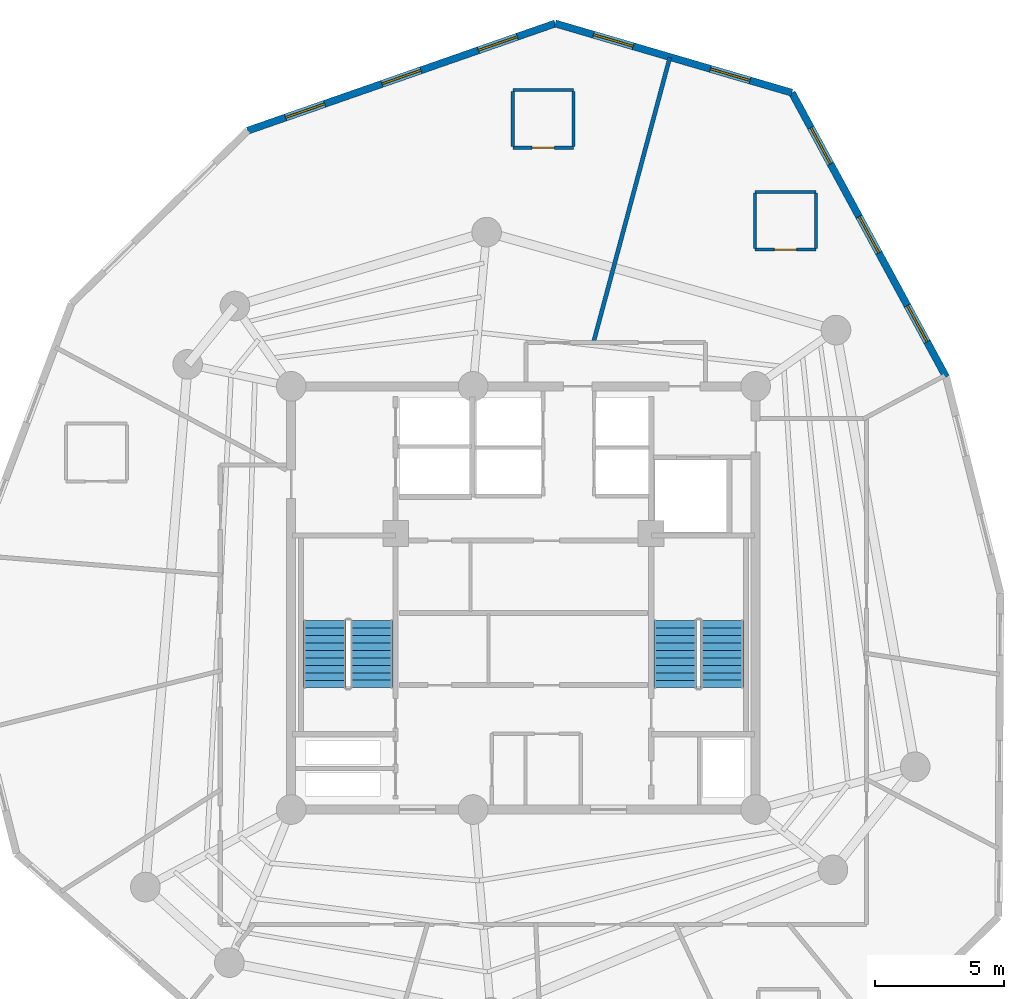
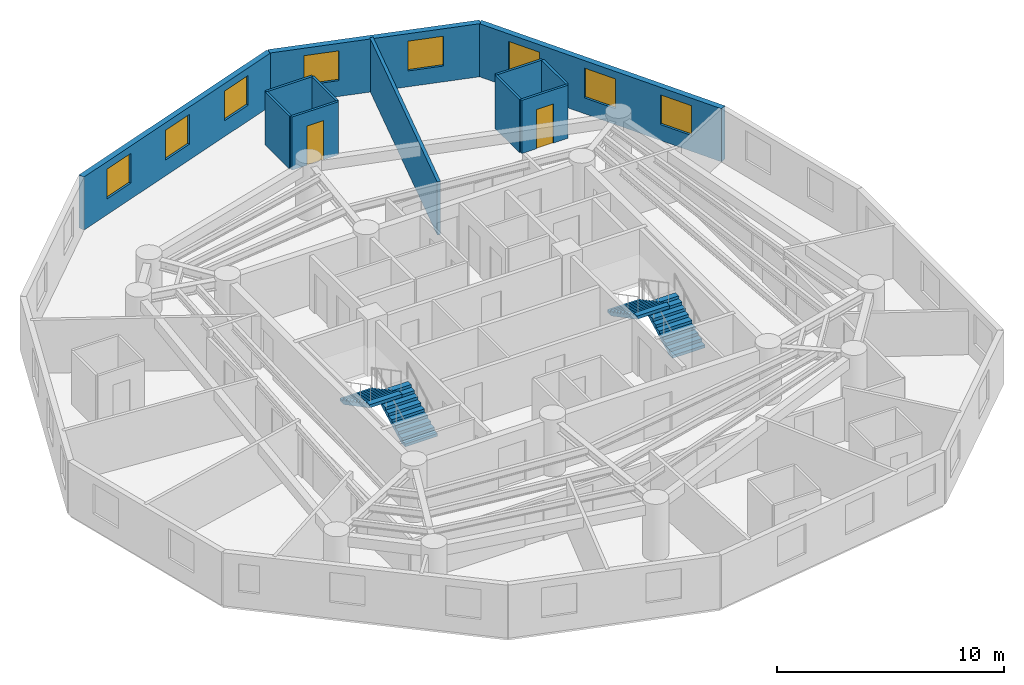
# One storey, part 6 of 7: 12 walls, 8 windows, 4 stair flights, 2 doors, 10 openings, 2 elements without a shape of their own.
"""IFC4 building model written with IfcOpenShell, lengths in metres."""

from ifc_helpers import new_model, si_unit, direction, frame, frame_2d, origin, origin_with_axes, place, context, subcontext, project, spatial, polyline, rectangle, outline, extrude, source, transform, mapped, material, layer, layer_set, type_object, element, fill, aggregate, save


model = new_model("IFC4")

# Units and contexts
model_context = context("Model", 3, precision=1e-05, world=origin(), true_north=direction((0.0, 1.0)))
body_context = subcontext(model_context, "Body", "Model", "MODEL_VIEW")
ifc_project = project(units=[si_unit("LENGTHUNIT", "METRE"), si_unit("AREAUNIT", "SQUARE_METRE"), si_unit("VOLUMEUNIT", "CUBIC_METRE"), si_unit("PLANEANGLEUNIT", "RADIAN"), si_unit("MASSUNIT", "GRAM", prefix="KILO")], contexts=[model_context])

# Site, building, storey
site_placement = place(None, origin())
site = spatial("IfcSite", under=ifc_project, at=site_placement, CompositionType="ELEMENT")
building_placement = place(site_placement, origin())
building = spatial("IfcBuilding", under=site, at=building_placement, Name="Karkom Vertical University and Central Library", CompositionType="ELEMENT")
storey_placement = place(building_placement, frame((0.0, 0.0, 223.0)))
storey = spatial("IfcBuildingStorey", under=building, at=storey_placement, Name="L65", CompositionType="ELEMENT", Elevation=223.0)

# Wall, openings, windows
ifc_material_1 = material(Name="Brick-faced precast concrete C45/55", Category="masonry")
ifc_layer_1 = layer(ifc_material_1, 0.280029296875)
ifc_layer_set_1 = layer_set([ifc_layer_1], Name="Brick-faced precast concrete C45/55")
wall_type_1 = type_object("IfcWallType", Name="ENV-WL-BRK-280", PredefinedType="SOLIDWALL", material=ifc_layer_set_1)
wall_1_placement = place(storey_placement, frame((44.8857421875, 35.05810546875, 0.0), z_axis=(0.0, 0.0, 1.0), x_axis=(-0.476910136599, 0.878952058766, 0.0)))
wall_1 = element("IfcWall", 1, at=wall_1_placement, inside=storey, type_object=wall_type_1, Name="Level 65 Brick-Faced Precast Facade Wall 08", PredefinedType="SOLIDWALL", context=body_context, shape_type="SweptSolid", body=[
    extrude(rectangle(XDim=12.54150390625, YDim=0.280029296875, at=frame_2d((6.270751953125, 0.0))), origin(), (0.0, 0.0, 1.0), 2.85009765625),
])
opening_1_placement = place(wall_1_placement, frame((1.5576171875, 0.0, 0.85009765625)))
opening_1 = element("IfcOpeningElement", 2, at=opening_1_placement, cuts=wall_1, Name="Opening WN-10", PredefinedType="OPENING", context=body_context, shape_type="SweptSolid", body=[
    extrude(rectangle(XDim=1.60009765625, YDim=1.60009765625, at=frame_2d((0.800048828125, 0.800048828125))), frame((0.0, 0.14990234375, 0.0), z_axis=(0.0, -1.0, 0.0), x_axis=(1.0, 0.0, 0.0)), (0.0, 0.0, 1.0), 0.300048828125),
])
opening_2_placement = place(wall_1_placement, frame((5.479248046875, 0.0, 0.85009765625)))
opening_2 = element("IfcOpeningElement", 3, at=opening_2_placement, cuts=wall_1, Name="Opening WN-10", PredefinedType="OPENING", context=body_context, shape_type="SweptSolid", body=[
    extrude(rectangle(XDim=1.60009765625, YDim=1.60009765625, at=frame_2d((0.800048828125, 0.800048828125))), frame((0.0, 0.14990234375, 0.0), z_axis=(0.0, -1.0, 0.0), x_axis=(1.0, 0.0, 0.0)), (0.0, 0.0, 1.0), 0.300048828125),
])
opening_3_placement = place(wall_1_placement, frame((9.40087890625, 0.0, 0.85009765625)))
opening_3 = element("IfcOpeningElement", 4, at=opening_3_placement, cuts=wall_1, Name="Opening WN-10", PredefinedType="OPENING", context=body_context, shape_type="SweptSolid", body=[
    extrude(rectangle(XDim=1.60009765625, YDim=1.60009765625, at=frame_2d((0.800048828125, 0.800048828125))), frame((0.0, 0.14990234375, 0.0), z_axis=(0.0, -1.0, 0.0), x_axis=(1.0, 0.0, 0.0)), (0.0, 0.0, 1.0), 0.300048828125),
])
ifc_material_2 = material(Name="Aluminium thermal-break frame with solar-control IGU", Category="aluminium")
window_type = type_object("IfcWindowType", Name="ENV-WIN-WN-10", PartitioningType="SINGLE_PANEL", PredefinedType="WINDOW", material=ifc_material_2)
shared_shape_1 = source(origin_with_axes(), body_context, "Body", "SweptSolid", [
    extrude(rectangle(XDim=1.60009765625, YDim=1.60009765625, at=frame_2d((0.800048828125, 0.800048828125))), frame((0.0, 0.030029296875, 0.0), z_axis=(0.0, -1.0, 0.0), x_axis=(1.0, 0.0, 0.0)), (0.0, 0.0, 1.0), 0.06005859375),
])
window_1_placement = place(opening_1_placement, origin())
window_1 = element("IfcWindow", 5, at=window_1_placement, inside=storey, type_object=window_type, Name="Level 65 Punched Window 8.1", OverallHeight=1.60009765625, OverallWidth=1.60009765625, PartitioningType="SINGLE_PANEL", PredefinedType="WINDOW", context=body_context, shape_type="MappedRepresentation", body=[
    mapped(shared_shape_1, transform((0.0, 0.0, 0.0), scale=1.0)),
])
fill(opening_1, window_1)
window_2_placement = place(opening_2_placement, origin())
window_2 = element("IfcWindow", 6, at=window_2_placement, inside=storey, type_object=window_type, Name="Level 65 Punched Window 8.2", OverallHeight=1.60009765625, OverallWidth=1.60009765625, PartitioningType="SINGLE_PANEL", PredefinedType="WINDOW", context=body_context, shape_type="MappedRepresentation", body=[
    mapped(shared_shape_1, transform((0.0, 0.0, 0.0), scale=1.0)),
])
fill(opening_2, window_2)
window_3_placement = place(opening_3_placement, origin())
window_3 = element("IfcWindow", 7, at=window_3_placement, inside=storey, type_object=window_type, Name="Level 65 Punched Window 8.3", OverallHeight=1.60009765625, OverallWidth=1.60009765625, PartitioningType="SINGLE_PANEL", PredefinedType="WINDOW", context=body_context, shape_type="MappedRepresentation", body=[
    mapped(shared_shape_1, transform((0.0, 0.0, 0.0), scale=1.0)),
])
fill(opening_3, window_3)

wall_2_placement = place(storey_placement, frame((38.904541015625, 46.08154296875, 0.0), z_axis=(0.0, 0.0, 1.0), x_axis=(-0.959798871219, 0.280688665262, 0.0)))
wall_2 = element("IfcWall", 8, at=wall_2_placement, inside=storey, type_object=wall_type_1, Name="Level 65 Brick-Faced Precast Facade Wall 09", PredefinedType="SOLIDWALL", context=body_context, shape_type="SweptSolid", body=[
    extrude(rectangle(XDim=9.555419921875, YDim=0.280029296875, at=frame_2d((4.77783203125, 0.0))), origin(), (0.0, 0.0, 1.0), 2.85009765625),
])
opening_4_placement = place(wall_2_placement, frame((1.69091796875, 0.0, 0.85009765625)))
opening_4 = element("IfcOpeningElement", 9, at=opening_4_placement, cuts=wall_2, Name="Opening WN-10", PredefinedType="OPENING", context=body_context, shape_type="SweptSolid", body=[
    extrude(rectangle(XDim=1.60009765625, YDim=1.60009765625, at=frame_2d((0.800048828125, 0.800048828125))), frame((0.0, 0.14990234375, 0.0), z_axis=(0.0, -1.0, 0.0), x_axis=(1.0, 0.0, 0.0)), (0.0, 0.0, 1.0), 0.300048828125),
])
opening_5_placement = place(wall_2_placement, frame((6.40869140625, 0.0, 0.85009765625)))
opening_5 = element("IfcOpeningElement", 10, at=opening_5_placement, cuts=wall_2, Name="Opening WN-10", PredefinedType="OPENING", context=body_context, shape_type="SweptSolid", body=[
    extrude(rectangle(XDim=1.60009765625, YDim=1.60009765625, at=frame_2d((0.800048828125, 0.800048828125))), frame((0.0, 0.14990234375, 0.0), z_axis=(0.0, -1.0, 0.0), x_axis=(1.0, 0.0, 0.0)), (0.0, 0.0, 1.0), 0.300048828125),
])
window_4_placement = place(opening_4_placement, origin())
window_4 = element("IfcWindow", 11, at=window_4_placement, inside=storey, type_object=window_type, Name="Level 65 Punched Window 9.1", OverallHeight=1.60009765625, OverallWidth=1.60009765625, PartitioningType="SINGLE_PANEL", PredefinedType="WINDOW", context=body_context, shape_type="MappedRepresentation", body=[
    mapped(shared_shape_1, transform((0.0, 0.0, 0.0), scale=1.0)),
])
fill(opening_4, window_4)
window_5_placement = place(opening_5_placement, origin())
window_5 = element("IfcWindow", 12, at=window_5_placement, inside=storey, type_object=window_type, Name="Level 65 Punched Window 9.2", OverallHeight=1.60009765625, OverallWidth=1.60009765625, PartitioningType="SINGLE_PANEL", PredefinedType="WINDOW", context=body_context, shape_type="MappedRepresentation", body=[
    mapped(shared_shape_1, transform((0.0, 0.0, 0.0), scale=1.0)),
])
fill(opening_5, window_5)

wall_3_placement = place(storey_placement, frame((29.733154296875, 48.763671875, 0.0), z_axis=(0.0, 0.0, 1.0), x_axis=(-0.944273189072, -0.329162793159, 0.0)))
wall_3 = element("IfcWall", 13, at=wall_3_placement, inside=storey, type_object=wall_type_1, Name="Level 65 Brick-Faced Precast Facade Wall 10", PredefinedType="SOLIDWALL", context=body_context, shape_type="SweptSolid", body=[
    extrude(rectangle(XDim=12.620849609375, YDim=0.280029296875, at=frame_2d((6.310546875, 0.0))), origin(), (0.0, 0.0, 1.0), 2.85009765625),
])
opening_6_placement = place(wall_3_placement, frame((1.556884765625, 0.0, 0.85009765625)))
opening_6 = element("IfcOpeningElement", 14, at=opening_6_placement, cuts=wall_3, Name="Opening WN-10", PredefinedType="OPENING", context=body_context, shape_type="SweptSolid", body=[
    extrude(rectangle(XDim=1.60009765625, YDim=1.60009765625, at=frame_2d((0.800048828125, 0.800048828125))), frame((0.0, 0.14990234375, 0.0), z_axis=(0.0, -1.0, 0.0), x_axis=(1.0, 0.0, 0.0)), (0.0, 0.0, 1.0), 0.300048828125),
])
opening_7_placement = place(wall_3_placement, frame((5.510498046875, 0.0, 0.85009765625)))
opening_7 = element("IfcOpeningElement", 15, at=opening_7_placement, cuts=wall_3, Name="Opening WN-10", PredefinedType="OPENING", context=body_context, shape_type="SweptSolid", body=[
    extrude(rectangle(XDim=1.60009765625, YDim=1.60009765625, at=frame_2d((0.800048828125, 0.800048828125))), frame((0.0, 0.14990234375, 0.0), z_axis=(0.0, -1.0, 0.0), x_axis=(1.0, 0.0, 0.0)), (0.0, 0.0, 1.0), 0.300048828125),
])
opening_8_placement = place(wall_3_placement, frame((9.464111328125, 0.0, 0.85009765625)))
opening_8 = element("IfcOpeningElement", 16, at=opening_8_placement, cuts=wall_3, Name="Opening WN-10", PredefinedType="OPENING", context=body_context, shape_type="SweptSolid", body=[
    extrude(rectangle(XDim=1.60009765625, YDim=1.60009765625, at=frame_2d((0.800048828125, 0.800048828125))), frame((0.0, 0.14990234375, 0.0), z_axis=(0.0, -1.0, 0.0), x_axis=(1.0, 0.0, 0.0)), (0.0, 0.0, 1.0), 0.300048828125),
])
window_6_placement = place(opening_6_placement, origin())
window_6 = element("IfcWindow", 17, at=window_6_placement, inside=storey, type_object=window_type, Name="Level 65 Punched Window 10.1", OverallHeight=1.60009765625, OverallWidth=1.60009765625, PartitioningType="SINGLE_PANEL", PredefinedType="WINDOW", context=body_context, shape_type="MappedRepresentation", body=[
    mapped(shared_shape_1, transform((0.0, 0.0, 0.0), scale=1.0)),
])
fill(opening_6, window_6)
window_7_placement = place(opening_7_placement, origin())
window_7 = element("IfcWindow", 18, at=window_7_placement, inside=storey, type_object=window_type, Name="Level 65 Punched Window 10.2", OverallHeight=1.60009765625, OverallWidth=1.60009765625, PartitioningType="SINGLE_PANEL", PredefinedType="WINDOW", context=body_context, shape_type="MappedRepresentation", body=[
    mapped(shared_shape_1, transform((0.0, 0.0, 0.0), scale=1.0)),
])
fill(opening_7, window_7)
window_8_placement = place(opening_8_placement, origin())
window_8 = element("IfcWindow", 19, at=window_8_placement, inside=storey, type_object=window_type, Name="Level 65 Punched Window 10.3", OverallHeight=1.60009765625, OverallWidth=1.60009765625, PartitioningType="SINGLE_PANEL", PredefinedType="WINDOW", context=body_context, shape_type="MappedRepresentation", body=[
    mapped(shared_shape_1, transform((0.0, 0.0, 0.0), scale=1.0)),
])
fill(opening_8, window_8)

# Wall
ifc_material_3 = material(Name="Insulated metal-stud drywall 160mm", Category="gypsum")
ifc_layer_2 = layer(ifc_material_3, 0.159912109375)
ifc_layer_set_2 = layer_set([ifc_layer_2], Name="Insulated metal-stud drywall 160mm")
wall_type_2 = type_object("IfcWallType", Name="INT-WL-COR-160", PredefinedType="PARTITIONING", material=ifc_layer_set_2)
wall_4_placement = place(storey_placement, frame((31.20703125, 36.37109375, 0.0), z_axis=(0.0, 0.0, 1.0), x_axis=(0.25882944903, 0.965923038505, 0.0)))
element("IfcWall", 20, at=wall_4_placement, inside=storey, type_object=wall_type_2, Name="Level 65 Interior Partition Wall L65-PW-013", PredefinedType="PARTITIONING", context=body_context, shape_type="SweptSolid", body=[
    extrude(rectangle(XDim=11.45849609375, YDim=0.159912109375, at=frame_2d((5.729248046875, 0.0))), origin(), (0.0, 0.0, 1.0), 2.85009765625),
])

# Wall, opening, door
ifc_material_4 = material(Name="Moisture-resistant drywall 120mm", Category="gypsum")
ifc_layer_3 = layer(ifc_material_4, 0.1201171875)
ifc_layer_set_3 = layer_set([ifc_layer_3], Name="Moisture-resistant drywall 120mm")
wall_type_3 = type_object("IfcWallType", Name="INT-WL-INT-120F", PredefinedType="PARTITIONING", material=ifc_layer_set_3)
wall_5_placement = place(storey_placement, frame((37.47509765625, 39.998046875, 0.0), z_axis=(0.0, 0.0, 1.0), x_axis=(1.0, 0.0, 0.0)))
wall_5 = element("IfcWall", 21, at=wall_5_placement, inside=storey, type_object=wall_type_3, Name="Level 65 Interior Partition Wall L65-ENS-50-S", PredefinedType="PARTITIONING", context=body_context, shape_type="SweptSolid", body=[
    extrude(rectangle(XDim=2.35986328125, YDim=0.1201171875, at=frame_2d((1.179931640625, 0.0))), origin(), (0.0, 0.0, 1.0), 2.85009765625),
])
opening_9_placement = place(wall_5_placement, frame((0.75, 0.0, 0.0)))
opening_9 = element("IfcOpeningElement", 22, at=opening_9_placement, cuts=wall_5, Name="Opening D-BATH", PredefinedType="OPENING", context=body_context, shape_type="SweptSolid", body=[
    extrude(rectangle(XDim=0.860107421875, YDim=2.10009765625, at=frame_2d((0.43017578125, 1.050048828125))), frame((0.0, 0.070068359375, 0.0), z_axis=(0.0, -1.0, 0.0), x_axis=(1.0, 0.0, 0.0)), (0.0, 0.0, 1.0), 0.14013671875),
])
ifc_material_5 = material(Name="Moisture-resistant oak door", Category="wood")
door_type = type_object("IfcDoorType", Name="INT-DR-BATH", OperationType="NOTDEFINED", PredefinedType="DOOR", material=ifc_material_5)
shared_shape_2 = source(origin_with_axes(), body_context, "Body", "SweptSolid", [
    extrude(rectangle(XDim=0.860107421875, YDim=2.10009765625, at=frame_2d((0.43017578125, 1.050048828125))), frame((0.0, 0.02490234375, 0.0), z_axis=(0.0, -1.0, 0.0), x_axis=(1.0, 0.0, 0.0)), (0.0, 0.0, 1.0), 0.050048828125),
])
door_1_placement = place(opening_9_placement, origin())
door_1 = element("IfcDoor", 23, at=door_1_placement, inside=storey, type_object=door_type, Name="Level 65 En-Suite Bathroom Door 50", OperationType="SINGLE_SWING_RIGHT", OverallHeight=2.10009765625, OverallWidth=0.860107421875, PredefinedType="DOOR", context=body_context, shape_type="MappedRepresentation", body=[
    mapped(shared_shape_2, transform((0.0, 0.0, 0.0), scale=1.0)),
])
fill(opening_9, door_1)

# Wall
wall_6_placement = place(storey_placement, frame((39.8349609375, 42.238037109375, 0.0), z_axis=(0.0, 0.0, 1.0), x_axis=(-1.0, 0.0, 0.0)))
element("IfcWall", 24, at=wall_6_placement, inside=storey, type_object=wall_type_3, Name="Level 65 Interior Partition Wall L65-ENS-50-N", PredefinedType="PARTITIONING", context=body_context, shape_type="SweptSolid", body=[
    extrude(rectangle(XDim=2.35986328125, YDim=0.1201171875, at=frame_2d((1.179931640625, 0.0))), origin(), (0.0, 0.0, 1.0), 2.85009765625),
])

# Wall, opening, door
wall_7_placement = place(storey_placement, frame((28.0869140625, 43.946044921875, 0.0), z_axis=(0.0, 0.0, 1.0), x_axis=(1.0, 0.0, 0.0)))
wall_7 = element("IfcWall", 25, at=wall_7_placement, inside=storey, type_object=wall_type_3, Name="Level 65 Interior Partition Wall L65-ENS-51-S", PredefinedType="PARTITIONING", context=body_context, shape_type="SweptSolid", body=[
    extrude(rectangle(XDim=2.360107421875, YDim=0.1201171875, at=frame_2d((1.18017578125, 0.0))), origin(), (0.0, 0.0, 1.0), 2.85009765625),
])
opening_10_placement = place(wall_7_placement, frame((0.75, 0.0, 0.0)))
opening_10 = element("IfcOpeningElement", 26, at=opening_10_placement, cuts=wall_7, Name="Opening D-BATH", PredefinedType="OPENING", context=body_context, shape_type="SweptSolid", body=[
    extrude(rectangle(XDim=0.860107421875, YDim=2.10009765625, at=frame_2d((0.43017578125, 1.050048828125))), frame((0.0, 0.070068359375, 0.0), z_axis=(0.0, -1.0, 0.0), x_axis=(1.0, 0.0, 0.0)), (0.0, 0.0, 1.0), 0.14013671875),
])
door_2_placement = place(opening_10_placement, origin())
door_2 = element("IfcDoor", 27, at=door_2_placement, inside=storey, type_object=door_type, Name="Level 65 En-Suite Bathroom Door 51", OperationType="SINGLE_SWING_RIGHT", OverallHeight=2.10009765625, OverallWidth=0.860107421875, PredefinedType="DOOR", context=body_context, shape_type="MappedRepresentation", body=[
    mapped(shared_shape_2, transform((0.0, 0.0, 0.0), scale=1.0)),
])
fill(opening_10, door_2)

# Walls
wall_8_placement = place(storey_placement, frame((30.447021484375, 46.18603515625, 0.0), z_axis=(0.0, 0.0, 1.0), x_axis=(-1.0, 0.0, 0.0)))
element("IfcWall", 28, at=wall_8_placement, inside=storey, type_object=wall_type_3, Name="Level 65 Interior Partition Wall L65-ENS-51-N", PredefinedType="PARTITIONING", context=body_context, shape_type="SweptSolid", body=[
    extrude(rectangle(XDim=2.360107421875, YDim=0.1201171875, at=frame_2d((1.18017578125, 0.0))), origin(), (0.0, 0.0, 1.0), 2.85009765625),
])
for number, where, z_axis, x_axis, name in (
    (29, (39.8349609375, 40.048095703125, 0.0), (0.0, 0.0, 1.0), (0.0, 1.0, 0.0), "Level 65 Interior Partition Wall L65-ENS-50-E"),
    (30, (37.47509765625, 42.18798828125, 0.0), (0.0, 0.0, 1.0), (0.0, -1.0, 0.0), "Level 65 Interior Partition Wall L65-ENS-50-W"),
    (31, (30.447021484375, 43.99609375, 0.0), (0.0, 0.0, 1.0), (0.0, 1.0, 0.0), "Level 65 Interior Partition Wall L65-ENS-51-E"),
    (32, (28.0869140625, 46.135986328125, 0.0), (0.0, 0.0, 1.0), (0.0, -1.0, 0.0), "Level 65 Interior Partition Wall L65-ENS-51-W"),
):
    element("IfcWall", number, at=place(storey_placement, frame(where, z_axis=z_axis, x_axis=x_axis)), inside=storey, type_object=wall_type_3, Name=name, PredefinedType="PARTITIONING", context=body_context, shape_type="SweptSolid", body=[
        extrude(rectangle(XDim=2.139892578125, YDim=0.1201171875, at=frame_2d((1.06982421875, 0.0))), origin(), (0.0, 0.0, 1.0), 2.85009765625),
    ])

# Stair, stair flights
ifc_material_6 = material(Name="Concrete C45/55", Category="concrete")
stair_type = type_object("IfcStairType", Name="INT-STR-ST-MAIN", PredefinedType="HALF_TURN_STAIR", material=ifc_material_6)
stair_1_placement = place(storey_placement, origin())
stair_1 = element("IfcStair", 33, at=stair_1_placement, inside=storey, type_object=stair_type, Name="Level 65 Tower Protected Exit Stair ST-1", PredefinedType="HALF_TURN_STAIR")
stair_flight_type = type_object("IfcStairFlightType", Name="INT-SFL-ST-MAIN", PredefinedType="STRAIGHT", material=ifc_material_6)
stair_flight_1_placement = place(storey_placement, frame((22.614990234375, 23.02001953125, 0.0), z_axis=(0.0, 0.0, 1.0), x_axis=(0.0, 1.0, 0.0)))
stair_flight_1 = element("IfcStairFlight", 34, at=stair_flight_1_placement, type_object=stair_flight_type, Name="ST-1 flight 1", NumberOfRisers=10, NumberOfTreads=9, PredefinedType="STRAIGHT", RiserHeight=0.1525, TreadLength=0.29, context=body_context, shape_type="SweptSolid", body=[
    extrude(outline(polyline([(0.0, 0.0), (0.0, 0.152587890625), (0.2900390625, 0.152587890625), (0.2900390625, 0.304931640625), (0.580078125, 0.304931640625), (0.580078125, 0.45751953125), (0.8701171875, 0.45751953125), (0.8701171875, 0.610107421875), (1.159912109375, 0.610107421875), (1.159912109375, 0.762451171875), (1.449951171875, 0.762451171875), (1.449951171875, 0.9150390625), (1.739990234375, 0.9150390625), (1.739990234375, 1.0673828125), (2.030029296875, 1.0673828125), (2.030029296875, 1.219970703125), (2.320068359375, 1.219970703125), (2.320068359375, 1.37255859375), (2.610107421875, 1.37255859375), (2.610107421875, 1.52490234375), (2.610107421875, 1.203125), (0.322021484375, 0.0), (0.0, 0.0)])), frame((0.0, 0.824951171875, 0.0), z_axis=(0.0, -1.0, 0.0), x_axis=(1.0, 0.0, 0.0)), (0.0, 0.0, 1.0), 1.64990234375),
])
stair_flight_2_placement = place(storey_placement, frame((20.804931640625, 25.6298828125, 1.52490234375), z_axis=(0.0, 0.0, 1.0), x_axis=(0.0, -1.0, 0.0)))
stair_flight_2 = element("IfcStairFlight", 35, at=stair_flight_2_placement, type_object=stair_flight_type, Name="ST-1 flight 2", NumberOfRisers=10, NumberOfTreads=9, PredefinedType="STRAIGHT", RiserHeight=0.1525, TreadLength=0.29, context=body_context, shape_type="SweptSolid", body=[
    extrude(outline(polyline([(0.0, 0.0), (0.0, 0.152587890625), (0.2900390625, 0.152587890625), (0.2900390625, 0.304931640625), (0.580078125, 0.304931640625), (0.580078125, 0.45751953125), (0.8701171875, 0.45751953125), (0.8701171875, 0.610107421875), (1.159912109375, 0.610107421875), (1.159912109375, 0.762451171875), (1.449951171875, 0.762451171875), (1.449951171875, 0.9150390625), (1.739990234375, 0.9150390625), (1.739990234375, 1.0673828125), (2.030029296875, 1.0673828125), (2.030029296875, 1.219970703125), (2.320068359375, 1.219970703125), (2.320068359375, 1.37255859375), (2.610107421875, 1.37255859375), (2.610107421875, 1.52490234375), (2.610107421875, 1.203125), (0.322021484375, 0.0), (0.0, 0.0)])), frame((0.0, 0.824951171875, 0.0), z_axis=(0.0, -1.0, 0.0), x_axis=(1.0, 0.0, 0.0)), (0.0, 0.0, 1.0), 1.64990234375),
])
aggregate(stair_1, [stair_flight_1, stair_flight_2])

stair_2_placement = place(storey_placement, origin())
stair_2 = element("IfcStair", 36, at=stair_2_placement, inside=storey, type_object=stair_type, Name="Level 65 Tower Protected Exit Stair ST-2", PredefinedType="HALF_TURN_STAIR")
stair_flight_3_placement = place(storey_placement, frame((36.195068359375, 23.02001953125, 0.0), z_axis=(0.0, 0.0, 1.0), x_axis=(0.0, 1.0, 0.0)))
stair_flight_3 = element("IfcStairFlight", 37, at=stair_flight_3_placement, type_object=stair_flight_type, Name="ST-2 flight 1", NumberOfRisers=10, NumberOfTreads=9, PredefinedType="STRAIGHT", RiserHeight=0.1525, TreadLength=0.29, context=body_context, shape_type="SweptSolid", body=[
    extrude(outline(polyline([(0.0, 0.0), (0.0, 0.152587890625), (0.2900390625, 0.152587890625), (0.2900390625, 0.304931640625), (0.580078125, 0.304931640625), (0.580078125, 0.45751953125), (0.8701171875, 0.45751953125), (0.8701171875, 0.610107421875), (1.159912109375, 0.610107421875), (1.159912109375, 0.762451171875), (1.449951171875, 0.762451171875), (1.449951171875, 0.9150390625), (1.739990234375, 0.9150390625), (1.739990234375, 1.0673828125), (2.030029296875, 1.0673828125), (2.030029296875, 1.219970703125), (2.320068359375, 1.219970703125), (2.320068359375, 1.37255859375), (2.610107421875, 1.37255859375), (2.610107421875, 1.52490234375), (2.610107421875, 1.203125), (0.322021484375, 0.0), (0.0, 0.0)])), frame((0.0, 0.824951171875, 0.0), z_axis=(0.0, -1.0, 0.0), x_axis=(1.0, 0.0, 0.0)), (0.0, 0.0, 1.0), 1.64990234375),
])
stair_flight_4_placement = place(storey_placement, frame((34.385009765625, 25.6298828125, 1.52490234375), z_axis=(0.0, 0.0, 1.0), x_axis=(0.0, -1.0, 0.0)))
stair_flight_4 = element("IfcStairFlight", 38, at=stair_flight_4_placement, type_object=stair_flight_type, Name="ST-2 flight 2", NumberOfRisers=10, NumberOfTreads=9, PredefinedType="STRAIGHT", RiserHeight=0.1525, TreadLength=0.29, context=body_context, shape_type="SweptSolid", body=[
    extrude(outline(polyline([(0.0, 0.0), (0.0, 0.152587890625), (0.2900390625, 0.152587890625), (0.2900390625, 0.304931640625), (0.580078125, 0.304931640625), (0.580078125, 0.45751953125), (0.8701171875, 0.45751953125), (0.8701171875, 0.610107421875), (1.159912109375, 0.610107421875), (1.159912109375, 0.762451171875), (1.449951171875, 0.762451171875), (1.449951171875, 0.9150390625), (1.739990234375, 0.9150390625), (1.739990234375, 1.0673828125), (2.030029296875, 1.0673828125), (2.030029296875, 1.219970703125), (2.320068359375, 1.219970703125), (2.320068359375, 1.37255859375), (2.610107421875, 1.37255859375), (2.610107421875, 1.52490234375), (2.610107421875, 1.203125), (0.322021484375, 0.0), (0.0, 0.0)])), frame((0.0, 0.824951171875, 0.0), z_axis=(0.0, -1.0, 0.0), x_axis=(1.0, 0.0, 0.0)), (0.0, 0.0, 1.0), 1.64990234375),
])
aggregate(stair_2, [stair_flight_3, stair_flight_4])

save(model, "model.ifc")
